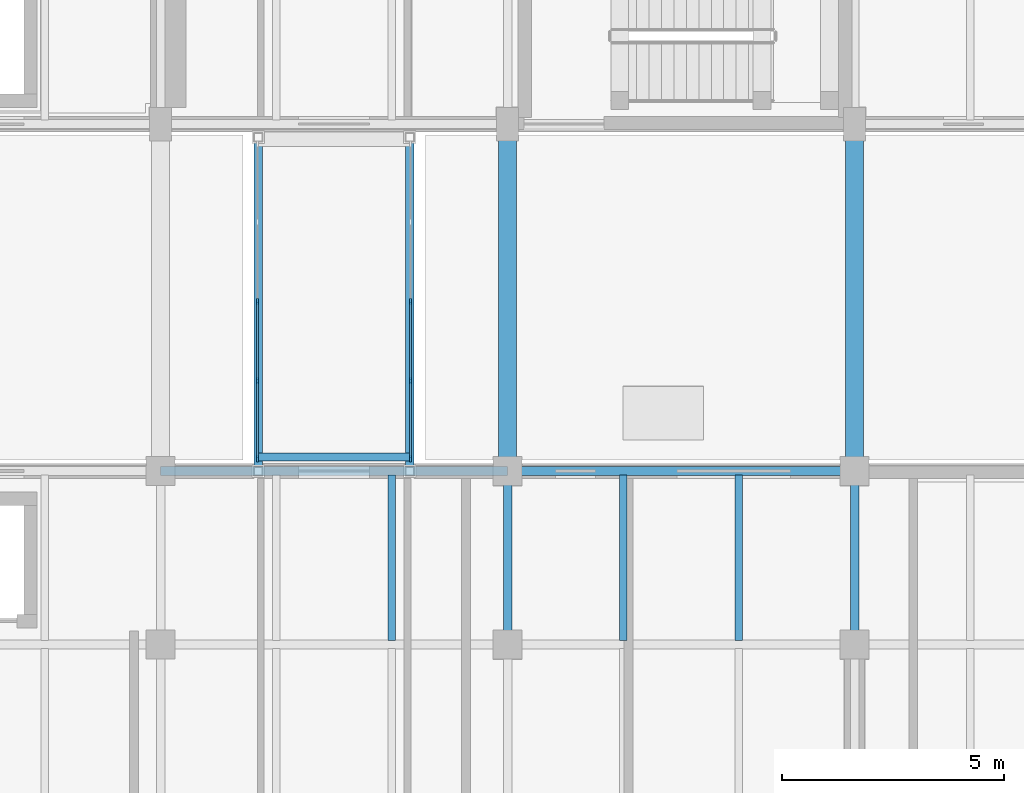
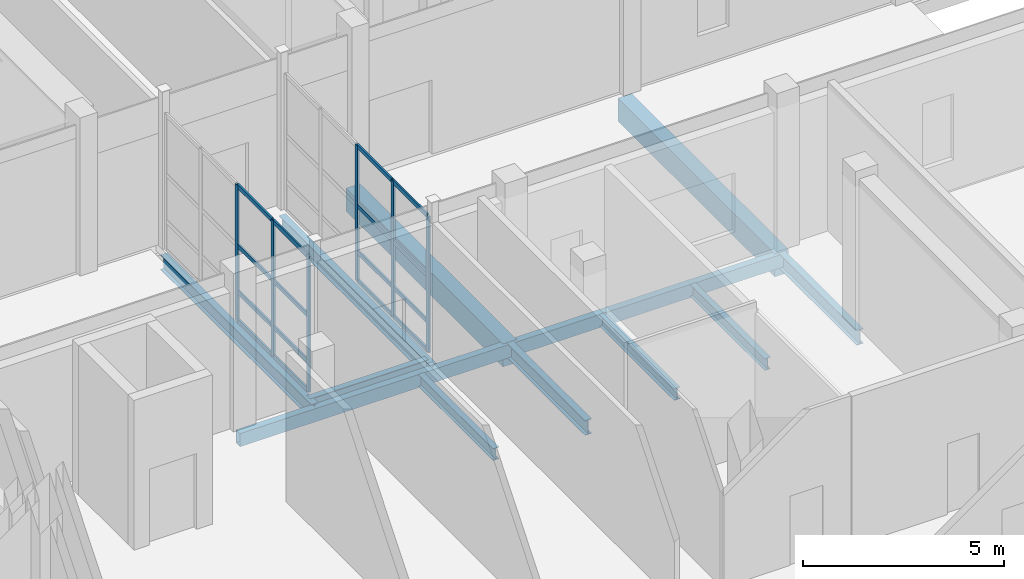
# One storey, part 25 of 131: 22 members, 12 beams, 2 elements without a shape of their own.
"""IFC4 building model written with IfcOpenShell, lengths in metres."""

from ifc_helpers import new_model, si_unit, direction, frame, origin, origin_2d, place, context, subcontext, project, spatial, rectangle, hollow_rectangle, i_section, extrude, material, layer, layer_set, material_profile, profile_set, type_object, element, aggregate, save


model = new_model("IFC4")

# Units and contexts
model_context = context("Model", 3, precision=1e-05, world=origin(), true_north=direction((0.0, 1.0)))
body_context = subcontext(model_context, "Body", "Model", "MODEL_VIEW")
ifc_project = project(units=[si_unit("LENGTHUNIT", "METRE"), si_unit("AREAUNIT", "SQUARE_METRE"), si_unit("VOLUMEUNIT", "CUBIC_METRE"), si_unit("PLANEANGLEUNIT", "RADIAN"), si_unit("MASSUNIT", "GRAM", prefix="KILO")], contexts=[model_context])

# Site, building, storey
site_placement = place(None, origin())
site = spatial("IfcSite", under=ifc_project, at=site_placement, CompositionType="ELEMENT")
building_placement = place(site_placement, origin())
building = spatial("IfcBuilding", under=site, at=building_placement, Name="Celorna Specialist Clinic", CompositionType="ELEMENT")
storey_placement = place(building_placement, origin())
storey = spatial("IfcBuildingStorey", under=building, at=storey_placement, Name="L00", CompositionType="ELEMENT", Elevation=0.0)

# Beams
ifc_material_1 = material(Name="Steel S355", Category="steel")
ifc_material_profile_1 = material_profile(ifc_material_1, i_section(OverallWidth=0.18994140625, OverallDepth=0.449951171875, WebThickness=0.009521484375, FlangeThickness=0.0146484375, at=origin_2d()), Name="IPE 450")
ifc_profile_set_1 = profile_set([ifc_material_profile_1], Name="Steel S355")
beam_type_1 = type_object("IfcBeamType", Name="BM-09", PredefinedType="BEAM", material=ifc_profile_set_1)
for number, where, z_axis, x_axis, name in (
    (1, (17.800048828125, 27.300048828125, -0.445068359375), (0.0, 1.0, 0.0), (-1.0, 0.0, 0.0), "Bridge BR-01 edge girder BM-09 #64"),
    (2, (21.199951171875, 27.300048828125, -0.445068359375), (0.0, 1.0, 0.0), (-1.0, 0.0, 0.0), "Bridge BR-01 edge girder BM-09 #65"),
):
    element("IfcBeam", number, at=place(storey_placement, frame(where, z_axis=z_axis, x_axis=x_axis)), inside=storey, type_object=beam_type_1, Name=name, PredefinedType="BEAM", context=body_context, shape_type="SweptSolid", body=[
        extrude(i_section(OverallWidth=0.18994140625, OverallDepth=0.449951171875, WebThickness=0.009521484375, FlangeThickness=0.0146484375, at=origin_2d()), origin(), (0.0, 0.0, 1.0), 7.5),
    ])
for number, where, z_axis, x_axis, name in (
    (3, (23.39990234375, 23.39990234375, -0.52490234375), (0.0, 1.0, 0.0), (-1.0, 0.0, 0.0), "Transverse girder BM-09 #1535"),
    (4, (31.199951171875, 23.39990234375, -0.52490234375), (0.0, 1.0, 0.0), (-1.0, 0.0, 0.0), "Transverse girder BM-09 #1539"),
):
    element("IfcBeam", number, at=place(storey_placement, frame(where, z_axis=z_axis, x_axis=x_axis)), inside=storey, type_object=beam_type_1, Name=name, PredefinedType="BEAM", context=body_context, shape_type="SweptSolid", body=[
        extrude(i_section(OverallWidth=0.18994140625, OverallDepth=0.449951171875, WebThickness=0.009521484375, FlangeThickness=0.0146484375, at=origin_2d()), origin(), (0.0, 0.0, 1.0), 3.900146484375),
    ])
ifc_material_profile_2 = material_profile(ifc_material_1, i_section(OverallWidth=0.179931640625, OverallDepth=0.39990234375, WebThickness=0.008544921875, FlangeThickness=0.013427734375, at=origin_2d()), Name="IPE 400")
ifc_profile_set_2 = profile_set([ifc_material_profile_2], Name="Steel S355")
beam_type_2 = type_object("IfcBeamType", Name="BM-10", PredefinedType="BEAM", material=ifc_profile_set_2)
beam_1_placement = place(storey_placement, frame((17.800048828125, 27.6201171875, -0.419921875), z_axis=(1.0, 0.0, 0.0), x_axis=(0.0, 1.0, 0.0)))
element("IfcBeam", 5, at=beam_1_placement, inside=storey, type_object=beam_type_2, Name="Bridge BR-01 transverse beam BM-10 #67", PredefinedType="BEAM", context=body_context, shape_type="SweptSolid", body=[
    extrude(i_section(OverallWidth=0.179931640625, OverallDepth=0.39990234375, WebThickness=0.008544921875, FlangeThickness=0.013427734375, at=origin_2d()), origin(), (0.0, 0.0, 1.0), 3.39990234375),
])
ifc_material_profile_3 = material_profile(ifc_material_1, i_section(OverallWidth=0.169921875, OverallDepth=0.360107421875, WebThickness=0.008056640625, FlangeThickness=0.0126953125, at=origin_2d()), Name="IPE 360")
ifc_profile_set_3 = profile_set([ifc_material_profile_3], Name="Steel S355")
beam_type_3 = type_object("IfcBeamType", Name="BM-11", PredefinedType="JOIST", material=ifc_profile_set_3)
for number, where, z_axis, x_axis, name in (
    (6, (20.800048828125, 23.488037109375, -0.47998046875), (0.0, 1.0, 0.0), (-1.0, 0.0, 0.0), "Secondary floor joist BM-11 #1569"),
    (7, (26.0, 23.488037109375, -0.47998046875), (0.0, 1.0, 0.0), (-1.0, 0.0, 0.0), "Secondary floor joist BM-11 #1573"),
    (8, (28.60009765625, 23.488037109375, -0.47998046875), (0.0, 1.0, 0.0), (-1.0, 0.0, 0.0), "Secondary floor joist BM-11 #1574"),
):
    element("IfcBeam", number, at=place(storey_placement, frame(where, z_axis=z_axis, x_axis=x_axis)), inside=storey, type_object=beam_type_3, Name=name, PredefinedType="JOIST", context=body_context, shape_type="SweptSolid", body=[
        extrude(i_section(OverallWidth=0.169921875, OverallDepth=0.360107421875, WebThickness=0.008056640625, FlangeThickness=0.0126953125, at=origin_2d()), origin(), (0.0, 0.0, 1.0), 3.723876953125),
    ])
ifc_material_profile_4 = material_profile(ifc_material_1, hollow_rectangle(XDim=0.199951171875, YDim=0.39990234375, WallThickness=0.011962890625, at=origin_2d()), Name="RHS 200x400x12")
ifc_profile_set_4 = profile_set([ifc_material_profile_4], Name="Steel S355")
beam_type_4 = type_object("IfcBeamType", Name="BM-15", PredefinedType="SPANDREL", material=ifc_profile_set_4)
beam_2_placement = place(storey_placement, frame((15.60009765625, 27.300048828125, -0.5), z_axis=(1.0, 0.0, 0.0), x_axis=(0.0, 1.0, 0.0)))
element("IfcBeam", 9, at=beam_2_placement, inside=storey, type_object=beam_type_4, Name="Spandrel beam BM-15 #1516", PredefinedType="SPANDREL", context=body_context, shape_type="SweptSolid", body=[
    extrude(hollow_rectangle(XDim=0.199951171875, YDim=0.39990234375, WallThickness=0.011962890625, at=origin_2d()), origin(), (0.0, 0.0, 1.0), 7.7998046875),
])
beam_3_placement = place(storey_placement, frame((23.39990234375, 27.300048828125, -0.5), z_axis=(1.0, 0.0, 0.0), x_axis=(0.0, 1.0, 0.0)))
element("IfcBeam", 10, at=beam_3_placement, inside=storey, type_object=beam_type_4, Name="Spandrel beam BM-15 #1517", PredefinedType="SPANDREL", context=body_context, shape_type="SweptSolid", body=[
    extrude(hollow_rectangle(XDim=0.199951171875, YDim=0.39990234375, WallThickness=0.011962890625, at=origin_2d()), origin(), (0.0, 0.0, 1.0), 7.800048828125),
])
ifc_material_2 = material(Name="Concrete C35/45", Category="concrete")
ifc_material_profile_5 = material_profile(ifc_material_2, rectangle(XDim=0.39990234375, YDim=0.699951171875, at=origin_2d()), Name="RC 400x700")
ifc_profile_set_5 = profile_set([ifc_material_profile_5], Name="Concrete C35/45")
beam_type_5 = type_object("IfcBeamType", Name="BM-19", PredefinedType="BEAM", material=ifc_profile_set_5)
for number, where, z_axis, x_axis, name in (
    (11, (23.39990234375, 27.300048828125, -0.64990234375), (0.0, 1.0, 0.0), (-1.0, 0.0, 0.0), "Courtyard plaza RC beam BM-19 #2411"),
    (12, (31.199951171875, 27.300048828125, -0.64990234375), (0.0, 1.0, 0.0), (-1.0, 0.0, 0.0), "Courtyard plaza RC beam BM-19 #2412"),
):
    element("IfcBeam", number, at=place(storey_placement, frame(where, z_axis=z_axis, x_axis=x_axis)), inside=storey, type_object=beam_type_5, Name=name, PredefinedType="BEAM", context=body_context, shape_type="SweptSolid", body=[
        extrude(rectangle(XDim=0.39990234375, YDim=0.699951171875, at=origin_2d()), origin(), (0.0, 0.0, 1.0), 7.800048828125),
    ])

# Curtain wall, members
ifc_material_3 = material(Name="Thermally broken aluminium and solar-control glass curtain wall", Category="aluminium")
ifc_layer = layer(ifc_material_3, 0.159912109375, Name="Thermally broken aluminium and solar-control glass curtain wall")
ifc_layer_set = layer_set([ifc_layer], Name="Thermally broken aluminium and solar-control glass curtain wall")
curtain_wall_type = type_object("IfcCurtainWallType", Name="CW-111", PredefinedType="NOTDEFINED", material=ifc_layer_set)
curtain_wall_1_placement = place(storey_placement, origin())
curtain_wall_1 = element("IfcCurtainWall", 13, at=curtain_wall_1_placement, inside=storey, type_object=curtain_wall_type, Name="Curtain wall CW-111 #198", PredefinedType="NOTDEFINED")
ifc_material_4 = material(Name="Anodized aluminium mullion", Category="aluminium")
ifc_material_profile_6 = material_profile(ifc_material_4, rectangle(XDim=0.050048828125, YDim=0.139892578125, at=origin_2d()), Name="ALU MULLION 50x140")
ifc_profile_set_6 = profile_set([ifc_material_profile_6], Name="Anodized aluminium mullion")
member_type_1 = type_object("IfcMemberType", Name="ML-03", PredefinedType="MULLION", material=ifc_profile_set_6)
member_1_placement = place(storey_placement, frame((17.780029296875, 27.574951171875, 0.0), z_axis=(0.0, 0.0, 1.0), x_axis=(-1.0, 0.0, 0.0)))
member_1 = element("IfcMember", 14, at=member_1_placement, type_object=member_type_1, Name="CW-111 mullion 1", PredefinedType="MULLION", context=body_context, shape_type="SweptSolid", body=[
    extrude(rectangle(XDim=0.050048828125, YDim=0.139892578125, at=origin_2d()), origin(), (0.0, 0.0, 1.0), 4.1298828125),
])
member_2_placement = place(storey_placement, frame((17.780029296875, 29.33251953125, 0.0), z_axis=(0.0, 0.0, 1.0), x_axis=(-1.0, 0.0, 0.0)))
member_2 = element("IfcMember", 15, at=member_2_placement, type_object=member_type_1, Name="CW-111 mullion 2", PredefinedType="MULLION", context=body_context, shape_type="SweptSolid", body=[
    extrude(rectangle(XDim=0.050048828125, YDim=0.139892578125, at=origin_2d()), origin(), (0.0, 0.0, 1.0), 4.1298828125),
])
member_3_placement = place(storey_placement, frame((17.780029296875, 31.114990234375, 0.0), z_axis=(0.0, 0.0, 1.0), x_axis=(-1.0, 0.0, 0.0)))
member_3 = element("IfcMember", 16, at=member_3_placement, type_object=member_type_1, Name="CW-111 mullion 3", PredefinedType="MULLION", context=body_context, shape_type="SweptSolid", body=[
    extrude(rectangle(XDim=0.050048828125, YDim=0.139892578125, at=origin_2d()), origin(), (0.0, 0.0, 1.0), 4.1298828125),
])

curtain_wall_2_placement = place(storey_placement, origin())
curtain_wall_2 = element("IfcCurtainWall", 17, at=curtain_wall_2_placement, inside=storey, type_object=curtain_wall_type, Name="Curtain wall CW-111 #199", PredefinedType="NOTDEFINED")
member_4_placement = place(storey_placement, frame((21.219970703125, 31.114990234375, 0.0), z_axis=(0.0, 0.0, 1.0), x_axis=(1.0, 0.0, 0.0)))
member_4 = element("IfcMember", 18, at=member_4_placement, type_object=member_type_1, Name="CW-111 mullion 3", PredefinedType="MULLION", context=body_context, shape_type="SweptSolid", body=[
    extrude(rectangle(XDim=0.050048828125, YDim=0.139892578125, at=origin_2d()), origin(), (0.0, 0.0, 1.0), 4.1298828125),
])
member_5_placement = place(storey_placement, frame((21.219970703125, 29.33251953125, 0.0), z_axis=(0.0, 0.0, 1.0), x_axis=(1.0, 0.0, 0.0)))
member_5 = element("IfcMember", 19, at=member_5_placement, type_object=member_type_1, Name="CW-111 mullion 4", PredefinedType="MULLION", context=body_context, shape_type="SweptSolid", body=[
    extrude(rectangle(XDim=0.050048828125, YDim=0.139892578125, at=origin_2d()), origin(), (0.0, 0.0, 1.0), 4.1298828125),
])
member_6_placement = place(storey_placement, frame((21.219970703125, 27.574951171875, 0.0), z_axis=(0.0, 0.0, 1.0), x_axis=(1.0, 0.0, 0.0)))
member_6 = element("IfcMember", 20, at=member_6_placement, type_object=member_type_1, Name="CW-111 mullion 5", PredefinedType="MULLION", context=body_context, shape_type="SweptSolid", body=[
    extrude(rectangle(XDim=0.050048828125, YDim=0.139892578125, at=origin_2d()), origin(), (0.0, 0.0, 1.0), 4.1298828125),
])

# Member
ifc_material_5 = material(Name="Anodized aluminium transom", Category="aluminium")
ifc_material_profile_7 = material_profile(ifc_material_5, rectangle(XDim=0.050048828125, YDim=0.1298828125, at=origin_2d()), Name="ALU TRANSOM 50x130")
ifc_profile_set_7 = profile_set([ifc_material_profile_7], Name="Anodized aluminium transom")
member_type_2 = type_object("IfcMemberType", Name="TR-01", PredefinedType="USERDEFINED", material=ifc_profile_set_7)
member_7_placement = place(storey_placement, frame((17.780029296875, 27.60009765625, 0.02490234375), z_axis=(0.0, 1.0, 0.0), x_axis=(-1.0, 0.0, 0.0)))
member_7 = element("IfcMember", 21, at=member_7_placement, type_object=member_type_2, Name="CW-111 transom 1.1", ObjectType="TRANSOM", PredefinedType="USERDEFINED", context=body_context, shape_type="SweptSolid", body=[
    extrude(rectangle(XDim=0.050048828125, YDim=0.1298828125, at=origin_2d()), origin(), (0.0, 0.0, 1.0), 1.70751953125),
])

member_8_placement = place(storey_placement, frame((17.780029296875, 27.60009765625, 0.89990234375), z_axis=(0.0, 1.0, 0.0), x_axis=(-1.0, 0.0, 0.0)))
member_8 = element("IfcMember", 22, at=member_8_placement, type_object=member_type_2, Name="CW-111 transom 1.2", ObjectType="TRANSOM", PredefinedType="USERDEFINED", context=body_context, shape_type="SweptSolid", body=[
    extrude(rectangle(XDim=0.050048828125, YDim=0.1298828125, at=origin_2d()), origin(), (0.0, 0.0, 1.0), 1.70751953125),
])

member_9_placement = place(storey_placement, frame((17.780029296875, 27.60009765625, 2.300048828125), z_axis=(0.0, 1.0, 0.0), x_axis=(-1.0, 0.0, 0.0)))
member_9 = element("IfcMember", 23, at=member_9_placement, type_object=member_type_2, Name="CW-111 transom 1.3", ObjectType="TRANSOM", PredefinedType="USERDEFINED", context=body_context, shape_type="SweptSolid", body=[
    extrude(rectangle(XDim=0.050048828125, YDim=0.1298828125, at=origin_2d()), origin(), (0.0, 0.0, 1.0), 1.70751953125),
])

member_10_placement = place(storey_placement, frame((17.780029296875, 27.60009765625, 4.10498046875), z_axis=(0.0, 1.0, 0.0), x_axis=(-1.0, 0.0, 0.0)))
member_10 = element("IfcMember", 24, at=member_10_placement, type_object=member_type_2, Name="CW-111 transom 1.4", ObjectType="TRANSOM", PredefinedType="USERDEFINED", context=body_context, shape_type="SweptSolid", body=[
    extrude(rectangle(XDim=0.050048828125, YDim=0.1298828125, at=origin_2d()), origin(), (0.0, 0.0, 1.0), 1.70751953125),
])

member_11_placement = place(storey_placement, frame((17.780029296875, 29.357421875, 0.02490234375), z_axis=(0.0, 1.0, 0.0), x_axis=(-1.0, 0.0, 0.0)))
member_11 = element("IfcMember", 25, at=member_11_placement, type_object=member_type_2, Name="CW-111 transom 2.1", ObjectType="TRANSOM", PredefinedType="USERDEFINED", context=body_context, shape_type="SweptSolid", body=[
    extrude(rectangle(XDim=0.050048828125, YDim=0.1298828125, at=origin_2d()), origin(), (0.0, 0.0, 1.0), 1.732666015625),
])

member_12_placement = place(storey_placement, frame((17.780029296875, 29.357421875, 0.89990234375), z_axis=(0.0, 1.0, 0.0), x_axis=(-1.0, 0.0, 0.0)))
member_12 = element("IfcMember", 26, at=member_12_placement, type_object=member_type_2, Name="CW-111 transom 2.2", ObjectType="TRANSOM", PredefinedType="USERDEFINED", context=body_context, shape_type="SweptSolid", body=[
    extrude(rectangle(XDim=0.050048828125, YDim=0.1298828125, at=origin_2d()), origin(), (0.0, 0.0, 1.0), 1.732666015625),
])

member_13_placement = place(storey_placement, frame((17.780029296875, 29.357421875, 2.300048828125), z_axis=(0.0, 1.0, 0.0), x_axis=(-1.0, 0.0, 0.0)))
member_13 = element("IfcMember", 27, at=member_13_placement, type_object=member_type_2, Name="CW-111 transom 2.3", ObjectType="TRANSOM", PredefinedType="USERDEFINED", context=body_context, shape_type="SweptSolid", body=[
    extrude(rectangle(XDim=0.050048828125, YDim=0.1298828125, at=origin_2d()), origin(), (0.0, 0.0, 1.0), 1.732666015625),
])

member_14_placement = place(storey_placement, frame((17.780029296875, 29.357421875, 4.10498046875), z_axis=(0.0, 1.0, 0.0), x_axis=(-1.0, 0.0, 0.0)))
member_14 = element("IfcMember", 28, at=member_14_placement, type_object=member_type_2, Name="CW-111 transom 2.4", ObjectType="TRANSOM", PredefinedType="USERDEFINED", context=body_context, shape_type="SweptSolid", body=[
    extrude(rectangle(XDim=0.050048828125, YDim=0.1298828125, at=origin_2d()), origin(), (0.0, 0.0, 1.0), 1.732666015625),
])

aggregate(curtain_wall_1, [member_1, member_2, member_3, member_7, member_8, member_9, member_10, member_11, member_12, member_13, member_14])

member_15_placement = place(storey_placement, frame((21.219970703125, 31.090087890625, 0.02490234375), z_axis=(0.0, -1.0, 0.0), x_axis=(1.0, 0.0, 0.0)))
member_15 = element("IfcMember", 29, at=member_15_placement, type_object=member_type_2, Name="CW-111 transom 3.1", ObjectType="TRANSOM", PredefinedType="USERDEFINED", context=body_context, shape_type="SweptSolid", body=[
    extrude(rectangle(XDim=0.050048828125, YDim=0.1298828125, at=origin_2d()), origin(), (0.0, 0.0, 1.0), 1.732666015625),
])

member_16_placement = place(storey_placement, frame((21.219970703125, 31.090087890625, 0.89990234375), z_axis=(0.0, -1.0, 0.0), x_axis=(1.0, 0.0, 0.0)))
member_16 = element("IfcMember", 30, at=member_16_placement, type_object=member_type_2, Name="CW-111 transom 3.2", ObjectType="TRANSOM", PredefinedType="USERDEFINED", context=body_context, shape_type="SweptSolid", body=[
    extrude(rectangle(XDim=0.050048828125, YDim=0.1298828125, at=origin_2d()), origin(), (0.0, 0.0, 1.0), 1.732666015625),
])

member_17_placement = place(storey_placement, frame((21.219970703125, 31.090087890625, 2.300048828125), z_axis=(0.0, -1.0, 0.0), x_axis=(1.0, 0.0, 0.0)))
member_17 = element("IfcMember", 31, at=member_17_placement, type_object=member_type_2, Name="CW-111 transom 3.3", ObjectType="TRANSOM", PredefinedType="USERDEFINED", context=body_context, shape_type="SweptSolid", body=[
    extrude(rectangle(XDim=0.050048828125, YDim=0.1298828125, at=origin_2d()), origin(), (0.0, 0.0, 1.0), 1.732666015625),
])

member_18_placement = place(storey_placement, frame((21.219970703125, 31.090087890625, 4.10498046875), z_axis=(0.0, -1.0, 0.0), x_axis=(1.0, 0.0, 0.0)))
member_18 = element("IfcMember", 32, at=member_18_placement, type_object=member_type_2, Name="CW-111 transom 3.4", ObjectType="TRANSOM", PredefinedType="USERDEFINED", context=body_context, shape_type="SweptSolid", body=[
    extrude(rectangle(XDim=0.050048828125, YDim=0.1298828125, at=origin_2d()), origin(), (0.0, 0.0, 1.0), 1.732666015625),
])

member_19_placement = place(storey_placement, frame((21.219970703125, 29.3076171875, 0.02490234375), z_axis=(0.0, -1.0, 0.0), x_axis=(1.0, 0.0, 0.0)))
member_19 = element("IfcMember", 33, at=member_19_placement, type_object=member_type_2, Name="CW-111 transom 4.1", ObjectType="TRANSOM", PredefinedType="USERDEFINED", context=body_context, shape_type="SweptSolid", body=[
    extrude(rectangle(XDim=0.050048828125, YDim=0.1298828125, at=origin_2d()), origin(), (0.0, 0.0, 1.0), 1.70751953125),
])

member_20_placement = place(storey_placement, frame((21.219970703125, 29.3076171875, 0.89990234375), z_axis=(0.0, -1.0, 0.0), x_axis=(1.0, 0.0, 0.0)))
member_20 = element("IfcMember", 34, at=member_20_placement, type_object=member_type_2, Name="CW-111 transom 4.2", ObjectType="TRANSOM", PredefinedType="USERDEFINED", context=body_context, shape_type="SweptSolid", body=[
    extrude(rectangle(XDim=0.050048828125, YDim=0.1298828125, at=origin_2d()), origin(), (0.0, 0.0, 1.0), 1.70751953125),
])

member_21_placement = place(storey_placement, frame((21.219970703125, 29.3076171875, 2.300048828125), z_axis=(0.0, -1.0, 0.0), x_axis=(1.0, 0.0, 0.0)))
member_21 = element("IfcMember", 35, at=member_21_placement, type_object=member_type_2, Name="CW-111 transom 4.3", ObjectType="TRANSOM", PredefinedType="USERDEFINED", context=body_context, shape_type="SweptSolid", body=[
    extrude(rectangle(XDim=0.050048828125, YDim=0.1298828125, at=origin_2d()), origin(), (0.0, 0.0, 1.0), 1.70751953125),
])

member_22_placement = place(storey_placement, frame((21.219970703125, 29.3076171875, 4.10498046875), z_axis=(0.0, -1.0, 0.0), x_axis=(1.0, 0.0, 0.0)))
member_22 = element("IfcMember", 36, at=member_22_placement, type_object=member_type_2, Name="CW-111 transom 4.4", ObjectType="TRANSOM", PredefinedType="USERDEFINED", context=body_context, shape_type="SweptSolid", body=[
    extrude(rectangle(XDim=0.050048828125, YDim=0.1298828125, at=origin_2d()), origin(), (0.0, 0.0, 1.0), 1.70751953125),
])

aggregate(curtain_wall_2, [member_4, member_5, member_6, member_15, member_16, member_17, member_18, member_19, member_20, member_21, member_22])

save(model, "model.ifc")
